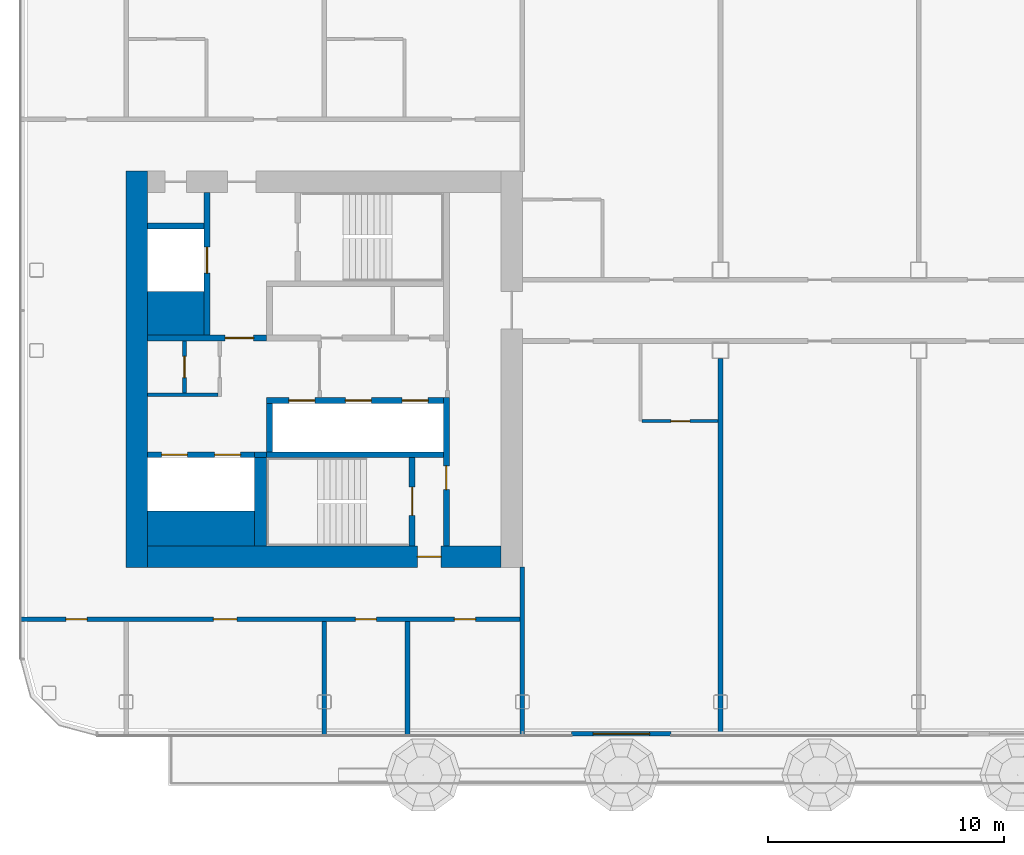
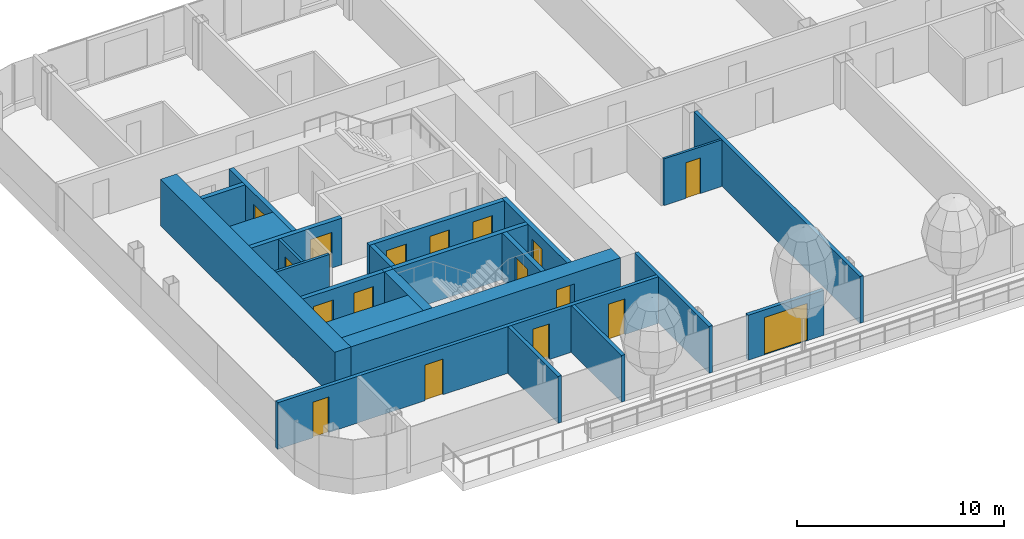
# One storey, part 11 of 28: 24 walls, 17 doors, 17 openings, 1 element without a shape of its own.
"""IFC4 building model written with IfcOpenShell, lengths in metres."""

import ifcopenshell
import ifcopenshell.guid

model = None  # the IFC model being written
_history = None  # IfcOwnerHistory: only IFC2X3 demands one
_inside = {}  # id of a spatial element -> (the spatial element, [elements in it])
_under = {}  # id of a project, library or spatial element -> (it, [spatial elements below it])
_declared = {}  # id of a project -> (the project, [libraries it declares])
_typed = {}  # id of a type object -> (the type object, [elements of that type])
_made_of = {}  # id of a material, layer set ... -> (it, [elements and type objects made of it])


def new_model(schema):
    """Start an empty IFC model of exactly this schema.

    Asked for "IFC4X3", IfcOpenShell would pick the latest addendum, in which some entities
    have other attributes; the version numbers below select the first issue.
    IFC2X3 requires an IfcOwnerHistory on every rooted entity: one is made here for all.
    """
    global model, _history
    if schema == "IFC4X3":
        model = ifcopenshell.file(schema_version=(4, 3, 0, 0))
    else:
        model = ifcopenshell.file(schema=schema)
    _inside.clear()
    _under.clear()
    _declared.clear()
    _typed.clear()
    _made_of.clear()
    _history = None
    if model.schema == "IFC2X3":
        org = make("IfcOrganization", Name="unknown")
        user = make(
            "IfcPersonAndOrganization",
            ThePerson=make("IfcPerson", FamilyName="unknown"),
            TheOrganization=org,
        )
        app = make(
            "IfcApplication",
            ApplicationDeveloper=org,
            Version="unknown",
            ApplicationFullName="unknown",
            ApplicationIdentifier="unknown",
        )
        _history = make(
            "IfcOwnerHistory",
            OwningUser=user,
            OwningApplication=app,
            ChangeAction="ADDED",
            CreationDate=0,
        )
    return model


def make(cls, **values):
    """One entity of the class cls with the attributes given. An attribute that is None is left unset."""
    return model.create_entity(
        cls, **{name: value for name, value in values.items() if value is not None}
    )


def rooted(cls, **values):
    """An entity with a GlobalId (a new one), such as an element, a storey or a relation."""
    return make(cls, GlobalId=ifcopenshell.guid.new(), OwnerHistory=_history, **values)


def si_unit(unit_type, name, prefix=None):
    """IfcSIUnit, for example si_unit("LENGTHUNIT", "METRE", prefix="MILLI")."""
    return make("IfcSIUnit", UnitType=unit_type, Prefix=prefix, Name=name)


def assignment(units):
    """IfcUnitAssignment: the units of a project."""
    return None if units is None else make("IfcUnitAssignment", Units=units)


def point(xyz):
    """IfcCartesianPoint."""
    return None if xyz is None else make("IfcCartesianPoint", Coordinates=xyz)


def direction(xyz):
    """IfcDirection."""
    return None if xyz is None else make("IfcDirection", DirectionRatios=xyz)


def frame(location, z_axis=None, x_axis=None):
    """IfcAxis2Placement3D, a coordinate frame: its origin and axes. An axis left out is left unset."""
    return make(
        "IfcAxis2Placement3D",
        Location=point(location),
        Axis=direction(z_axis),
        RefDirection=direction(x_axis),
    )


def frame_2d(location, x_axis=None):
    """IfcAxis2Placement2D, a coordinate frame in the plane: its origin and x axis."""
    return make(
        "IfcAxis2Placement2D", Location=point(location), RefDirection=direction(x_axis)
    )


def origin():
    """The frame at (0, 0, 0) with its axes left unset."""
    return frame((0.0, 0.0, 0.0))


def place(relative_to, where):
    """IfcLocalPlacement: puts the frame where relative to a parent placement (None: the world)."""
    return make(
        "IfcLocalPlacement", PlacementRelTo=relative_to, RelativePlacement=where
    )


def context(
    kind, dimensions, precision=None, world=None, true_north=None, identifier=None
):
    """IfcGeometricRepresentationContext, for example the 3D "Model" context."""
    return make(
        "IfcGeometricRepresentationContext",
        ContextIdentifier=identifier,
        ContextType=kind,
        CoordinateSpaceDimension=dimensions,
        Precision=precision,
        WorldCoordinateSystem=world,
        TrueNorth=true_north,
    )


def subcontext(parent, identifier, kind, view, scale=None):
    """IfcGeometricRepresentationSubContext, for example "Body" below "Model"."""
    return make(
        "IfcGeometricRepresentationSubContext",
        ContextIdentifier=identifier,
        ContextType=kind,
        ParentContext=parent,
        TargetScale=scale,
        TargetView=view,
    )


def project(units=None, contexts=None):
    """IfcProject with its units and contexts."""
    return rooted(
        "IfcProject",
        Name="project",
        RepresentationContexts=contexts,
        UnitsInContext=assignment(units),
    )


def spatial(cls, under=None, at=None, **own):
    """A site, building, storey or space (cls), placed at a placement, below another one or the project."""
    s = rooted(cls, ObjectPlacement=at, **own)
    if under is not None:
        _under.setdefault(under.id(), (under, []))[1].append(s)
    return s


def profile(cls, at=None, kind="AREA", **sizes):
    """A parametric profile (cls). Its sizes go by their IFC names, for example OverallWidth=200.0."""
    return make(cls, ProfileType=kind, Position=at, **sizes)


def rectangle(**sizes):
    """IfcRectangleProfileDef."""
    return profile("IfcRectangleProfileDef", **sizes)


def extrude(swept, where, along, depth):
    """IfcExtrudedAreaSolid: the profile swept, set in the frame where, extruded along a direction by depth."""
    return make(
        "IfcExtrudedAreaSolid",
        SweptArea=swept,
        Position=where,
        ExtrudedDirection=direction(along),
        Depth=depth,
    )


def shape(context_of_items, identifier, shape_type, items):
    """IfcShapeRepresentation: the items that make up one representation, for example the "Body"."""
    return make(
        "IfcShapeRepresentation",
        ContextOfItems=context_of_items,
        RepresentationIdentifier=identifier,
        RepresentationType=shape_type,
        Items=items,
    )


def material(Name=None, Category=None):
    """IfcMaterial."""
    return make("IfcMaterial", Name=Name, Category=Category)


def layer(
    of_material, thickness, ventilated=None, Name=None, Category=None, Priority=None
):
    """IfcMaterialLayer: one layer of a wall or slab, of a material (None: an air gap)."""
    return make(
        "IfcMaterialLayer",
        Material=of_material,
        LayerThickness=thickness,
        IsVentilated=ventilated,
        Name=Name,
        Category=Category,
        Priority=Priority,
    )


def layer_set(layers, Name=None):
    """IfcMaterialLayerSet."""
    return make("IfcMaterialLayerSet", MaterialLayers=layers, LayerSetName=Name)


def made_of(thing, what):
    """Note that an element or type object is made of a material, layer set ...; save() writes the relation."""
    if what is not None:
        _made_of.setdefault(what.id(), (what, []))[1].append(thing)
    return thing


def type_object(cls, material=None, **own):
    """A type object (cls), such as IfcWallType, which elements share."""
    return made_of(rooted(cls, **own), material)


def element(
    cls,
    number,
    at=None,
    inside=None,
    cuts=None,
    type_object=None,
    material=None,
    context=None,
    identifier="Body",
    shape_type=None,
    held_by="IfcProductDefinitionShape",
    body=None,
    shapes=None,
    **own,
):
    """One element of the class cls, such as IfcWall. Its Tag is "e" and its number.

    at: its placement. inside: the storey or other place that contains it. cuts: it is an
    opening in that element (IfcRelVoidsElement). A single representation is given by context,
    identifier, shape_type and body (its items); several are given by shapes. held_by: the class
    of the entity that holds the representations. save() writes the other relations.
    """
    e = rooted(cls, Tag="e%d" % number, ObjectPlacement=at, **own)
    if body is not None:
        shapes = [shape(context, identifier, shape_type, body)]
    if shapes is not None:
        e.Representation = make(held_by, Representations=shapes)
    if inside is not None:
        _inside.setdefault(inside.id(), (inside, []))[1].append(e)
    if cuts is not None:
        rooted(
            "IfcRelVoidsElement", RelatingBuildingElement=cuts, RelatedOpeningElement=e
        )
    if type_object is not None:
        _typed.setdefault(type_object.id(), (type_object, []))[1].append(e)
    return made_of(e, material)


def fill(opening, filler):
    """IfcRelFillsElement: the door or window that sits in an opening."""
    return rooted(
        "IfcRelFillsElement",
        RelatingOpeningElement=opening,
        RelatedBuildingElement=filler,
    )


def aggregate(whole, parts):
    """IfcRelAggregates: a whole, such as a stair, and the parts it consists of."""
    return rooted("IfcRelAggregates", RelatingObject=whole, RelatedObjects=parts)


def save(model, path):
    """Write the relations noted so far, then the file.

    IfcRelAggregates (storeys below a building ...), IfcRelContainedInSpatialStructure (elements
    in a storey), IfcRelDefinesByType, IfcRelAssociatesMaterial and IfcRelDeclares: one each for
    every whole, place, type object, material and project.
    """
    for whole, parts in _under.values():
        aggregate(whole, parts)
    for where, things in _inside.values():
        rooted(
            "IfcRelContainedInSpatialStructure",
            RelatedElements=things,
            RelatingStructure=where,
        )
    for kind, things in _typed.values():
        rooted("IfcRelDefinesByType", RelatedObjects=things, RelatingType=kind)
    for what, things in _made_of.values():
        rooted("IfcRelAssociatesMaterial", RelatedObjects=things, RelatingMaterial=what)
    for by, libraries in _declared.values():
        rooted("IfcRelDeclares", RelatingContext=by, RelatedDefinitions=libraries)
    model.write(path)


model = new_model("IFC4")

# Units and contexts
model_context = context("Model", 3, precision=1e-05, world=origin(), true_north=direction((0.0, 1.0)))
body_context = subcontext(model_context, "Body", "Model", "MODEL_VIEW")
ifc_project = project(units=[si_unit("LENGTHUNIT", "METRE"), si_unit("AREAUNIT", "SQUARE_METRE"), si_unit("VOLUMEUNIT", "CUBIC_METRE"), si_unit("PLANEANGLEUNIT", "RADIAN"), si_unit("MASSUNIT", "GRAM", prefix="KILO")], contexts=[model_context])

# Site, building, storey
site_placement = place(None, origin())
site = spatial("IfcSite", under=ifc_project, at=site_placement, CompositionType="ELEMENT")
building_placement = place(site_placement, origin())
building = spatial("IfcBuilding", under=site, at=building_placement, Name="Hakoniwa Tower and Hamabe Station Hall", CompositionType="ELEMENT")
storey_placement = place(building_placement, frame((0.0, 0.0, 218.60009765625)))
storey = spatial("IfcBuildingStorey", under=building, at=storey_placement, Name="L62", CompositionType="ELEMENT", Elevation=218.60009765625)

# Wall, opening, door
ifc_material_1 = material(Name="Gypsum board partition", Category="gypsum")
ifc_layer_1 = layer(ifc_material_1, 0.125)
ifc_layer_set_1 = layer_set([ifc_layer_1], Name="Bathroom Partition 125")
wall_type_1 = type_object("IfcWallType", Name="Bathroom Partition 125", PredefinedType="PARTITIONING", material=ifc_layer_set_1)
wall_1_placement = place(storey_placement, frame((-11.737548828125, -2.199951171875, 0.0), z_axis=(0.0, 0.0, 1.0), x_axis=(1.0, 0.0, 0.0)))
wall_1 = element("IfcWall", 1, at=wall_1_placement, inside=storey, type_object=wall_type_1, Name="GW-L62-003", PredefinedType="PARTITIONING", context=body_context, shape_type="SweptSolid", body=[
    extrude(rectangle(XDim=3.237548828125, YDim=0.125, at=frame_2d((1.61865234375, 0.0))), origin(), (0.0, 0.0, 1.0), 2.75),
])
opening_1_placement = place(wall_1_placement, frame((1.237548828125, 0.0, 0.0)))
opening_1 = element("IfcOpeningElement", 2, at=opening_1_placement, cuts=wall_1, Name="Opening GD-G4A2-09", PredefinedType="OPENING", context=body_context, shape_type="SweptSolid", body=[
    extrude(rectangle(XDim=0.800048828125, YDim=2.10009765625, at=frame_2d((0.39990234375, 1.050048828125))), frame((0.0, 0.072509765625, 0.0), z_axis=(0.0, -1.0, 0.0), x_axis=(1.0, 0.0, 0.0)), (0.0, 0.0, 1.0), 0.14501953125),
])
ifc_material_2 = material(Name="Timber door leaf", Category="wood")
door_type_1 = type_object("IfcDoorType", Name="Bathroom Door 800", OperationType="SINGLE_SWING_LEFT", PredefinedType="DOOR", material=ifc_material_2)
door_1_placement = place(opening_1_placement, origin())
door_1 = element("IfcDoor", 3, at=door_1_placement, inside=storey, type_object=door_type_1, Name="Door GD-G4A2-09", OperationType="SINGLE_SWING_RIGHT", OverallHeight=2.10009765625, OverallWidth=0.800048828125, PredefinedType="DOOR", context=body_context, shape_type="SweptSolid", body=[
    extrude(rectangle(XDim=0.800048828125, YDim=2.10009765625, at=frame_2d((0.39990234375, 1.050048828125))), frame((0.0, 0.02490234375, 0.0), z_axis=(0.0, -1.0, 0.0), x_axis=(1.0, 0.0, 0.0)), (0.0, 0.0, 1.0), 0.050048828125),
])
fill(opening_1, door_1)

# Wall
ifc_material_3 = material(Name="Gypsum board partition")
ifc_layer_2 = layer(ifc_material_3, 0.14990234375)
ifc_layer_set_2 = layer_set([ifc_layer_2], Name="CORE PARTITION 150 EI 60")
wall_type_2 = type_object("IfcWallType", Name="CORE PARTITION 150 EI 60", PredefinedType="PARTITIONING", material=ifc_layer_set_2)
wall_2_placement = place(storey_placement, frame((-32.699951171875, -1.074951171875, 0.0), z_axis=(0.0, 0.0, 1.0), x_axis=(1.0, 0.0, 0.0)))
element("IfcWall", 4, at=wall_2_placement, inside=storey, type_object=wall_type_2, Name="Core partition PS west", PredefinedType="PARTITIONING", context=body_context, shape_type="SweptSolid", body=[
    extrude(rectangle(XDim=3.0, YDim=0.14990234375, at=frame_2d((1.5, 0.0))), origin(), (0.0, 0.0, 1.0), 2.75),
])

# Wall, opening, door
wall_3_placement = place(storey_placement, frame((-31.125, -1.0, 0.0), z_axis=(0.0, 0.0, 1.0), x_axis=(0.0, 1.0, 0.0)))
wall_3 = element("IfcWall", 5, at=wall_3_placement, inside=storey, type_object=wall_type_2, Name="Core partition PW1 west", PredefinedType="PARTITIONING", context=body_context, shape_type="SweptSolid", body=[
    extrude(rectangle(XDim=2.199951171875, YDim=0.14990234375, at=frame_2d((1.10009765625, 0.0))), origin(), (0.0, 0.0, 1.0), 2.75),
])
opening_2_placement = place(wall_3_placement, frame((0.64990234375, 0.0, 0.0)))
opening_2 = element("IfcOpeningElement", 6, at=opening_2_placement, cuts=wall_3, Name="Opening CD-W-RM2-9", PredefinedType="OPENING", context=body_context, shape_type="SweptSolid", body=[
    extrude(rectangle(XDim=0.89990234375, YDim=2.10009765625, at=frame_2d((0.449951171875, 1.050048828125))), frame((0.0, 0.0849609375, 0.0), z_axis=(0.0, -1.0, 0.0), x_axis=(1.0, 0.0, 0.0)), (0.0, 0.0, 1.0), 0.169921875),
])
ifc_material_4 = material(Name="Steel fire door", Category="steel")
door_type_2 = type_object("IfcDoorType", Name="CORE DOOR 900 FD30", OperationType="NOTDEFINED", PredefinedType="DOOR", material=ifc_material_4)
door_2_placement = place(opening_2_placement, origin())
door_2 = element("IfcDoor", 7, at=door_2_placement, inside=storey, type_object=door_type_2, Name="Store room door", OperationType="SINGLE_SWING_RIGHT", OverallHeight=2.10009765625, OverallWidth=0.89990234375, PredefinedType="DOOR", context=body_context, shape_type="SweptSolid", body=[
    extrude(rectangle(XDim=0.89990234375, YDim=2.10009765625, at=frame_2d((0.449951171875, 1.050048828125))), frame((0.0, 0.02490234375, 0.0), z_axis=(0.0, -1.0, 0.0), x_axis=(1.0, 0.0, 0.0)), (0.0, 0.0, 1.0), 0.050048828125),
])
fill(opening_2, door_2)

# Wall
ifc_material_5 = material(Name="Concrete C60", Category="concrete")
ifc_layer_3 = layer(ifc_material_5, 0.89990234375)
ifc_layer_set_3 = layer_set([ifc_layer_3], Name="CORE WALL 900 C60")
wall_type_3 = type_object("IfcWallType", Name="CORE WALL 900 C60", PredefinedType="SHEAR", material=ifc_layer_set_3)
wall_4_placement = place(storey_placement, frame((-33.14990234375, -8.39990234375, 0.0), z_axis=(0.0, 0.0, 1.0), x_axis=(0.0, 1.0, 0.0)))
element("IfcWall", 8, at=wall_4_placement, inside=storey, type_object=wall_type_3, Name="Core wall OUTER west", PredefinedType="SHEAR", context=body_context, shape_type="SweptSolid", body=[
    extrude(rectangle(XDim=16.7998046875, YDim=0.89990234375, at=frame_2d((8.39990234375, 0.0))), origin(), (0.0, 0.0, 1.0), 2.75),
])

# Wall, opening, door
wall_5_placement = place(storey_placement, frame((-32.699951171875, -7.949951171875, 0.0), z_axis=(0.0, 0.0, 1.0), x_axis=(1.0, 0.0, 0.0)))
wall_5 = element("IfcWall", 9, at=wall_5_placement, inside=storey, type_object=wall_type_3, Name="Core wall SOUTH west", PredefinedType="SHEAR", context=body_context, shape_type="SweptSolid", body=[
    extrude(rectangle(XDim=15.0, YDim=0.89990234375, at=frame_2d((7.5, 0.0))), origin(), (0.0, 0.0, 1.0), 2.75),
])
opening_3_placement = place(wall_5_placement, frame((11.449951171875, 0.0, 0.0)))
opening_3 = element("IfcOpeningElement", 10, at=opening_3_placement, cuts=wall_5, Name="Opening CD-W-FS3-10", PredefinedType="OPENING", context=body_context, shape_type="SweptSolid", body=[
    extrude(rectangle(XDim=1.0, YDim=2.10009765625, at=frame_2d((0.5, 1.050048828125))), frame((0.0, 0.4599609375, 0.0), z_axis=(0.0, -1.0, 0.0), x_axis=(1.0, 0.0, 0.0)), (0.0, 0.0, 1.0), 0.919921875),
])
ifc_material_6 = material(Name="Steel fire door", Category="steel")
door_type_3 = type_object("IfcDoorType", Name="CORE DOOR 1000 FD60", OperationType="NOTDEFINED", PredefinedType="DOOR", material=ifc_material_6)
door_3_placement = place(opening_3_placement, origin())
door_3 = element("IfcDoor", 11, at=door_3_placement, inside=storey, type_object=door_type_3, Name="Stair vestibule door", OperationType="SINGLE_SWING_RIGHT", OverallHeight=2.10009765625, OverallWidth=1.0, PredefinedType="DOOR", context=body_context, shape_type="SweptSolid", body=[
    extrude(rectangle(XDim=1.0, YDim=2.10009765625, at=frame_2d((0.5, 1.050048828125))), frame((0.0, 0.02490234375, 0.0), z_axis=(0.0, -1.0, 0.0), x_axis=(1.0, 0.0, 0.0)), (0.0, 0.0, 1.0), 0.050048828125),
])
fill(opening_3, door_3)

# Walls
ifc_material_7 = material(Name="Concrete C60", Category="concrete")
ifc_layer_4 = layer(ifc_material_7, 1.5)
ifc_layer_set_4 = layer_set([ifc_layer_4], Name="CORE WEB WALL 1500 C60")
wall_type_4 = type_object("IfcWallType", Name="CORE WEB WALL 1500 C60", PredefinedType="SHEAR", material=ifc_layer_set_4)
wall_6_placement = place(storey_placement, frame((-32.699951171875, -6.75, 0.0), z_axis=(0.0, 0.0, 1.0), x_axis=(1.0, 0.0, 0.0)))
element("IfcWall", 12, at=wall_6_placement, inside=storey, type_object=wall_type_4, Name="Core wall SER west", PredefinedType="SHEAR", context=body_context, shape_type="SweptSolid", body=[
    extrude(rectangle(XDim=4.550048828125, YDim=1.5, at=frame_2d((2.27490234375, 0.0))), origin(), (0.0, 0.0, 1.0), 2.75),
])
ifc_material_8 = material(Name="Concrete C60", Category="concrete")
ifc_layer_5 = layer(ifc_material_8, 1.85009765625)
ifc_layer_set_5 = layer_set([ifc_layer_5], Name="CORE WEB WALL 1850 C60")
wall_type_5 = type_object("IfcWallType", Name="CORE WEB WALL 1850 C60", PredefinedType="SHEAR", material=ifc_layer_set_5)
wall_7_placement = place(storey_placement, frame((-32.699951171875, 2.375, 0.0), z_axis=(0.0, 0.0, 1.0), x_axis=(1.0, 0.0, 0.0)))
element("IfcWall", 13, at=wall_7_placement, inside=storey, type_object=wall_type_5, Name="Core wall CA west", PredefinedType="SHEAR", context=body_context, shape_type="SweptSolid", body=[
    extrude(rectangle(XDim=2.39990234375, YDim=1.85009765625, at=frame_2d((1.199951171875, 0.0))), origin(), (0.0, 0.0, 1.0), 2.75),
])

# Wall, opening, door
ifc_material_9 = material(Name="Concrete C60", Category="concrete")
ifc_layer_6 = layer(ifc_material_9, 0.25)
ifc_layer_set_6 = layer_set([ifc_layer_6], Name="CORE WEB WALL 250 C60")
wall_type_6 = type_object("IfcWallType", Name="CORE WEB WALL 250 C60", PredefinedType="SHEAR", material=ifc_layer_set_6)
wall_8_placement = place(storey_placement, frame((-20.02490234375, -7.5, 0.0), z_axis=(0.0, 0.0, 1.0), x_axis=(0.0, 1.0, 0.0)))
wall_8 = element("IfcWall", 14, at=wall_8_placement, inside=storey, type_object=wall_type_6, Name="Core wall W1S west", PredefinedType="SHEAR", context=body_context, shape_type="SweptSolid", body=[
    extrude(rectangle(XDim=6.300048828125, YDim=0.25, at=frame_2d((3.14990234375, 0.0))), origin(), (0.0, 0.0, 1.0), 2.75),
])
opening_4_placement = place(wall_8_placement, frame((2.39990234375, 0.0, 0.0)))
opening_4 = element("IfcOpeningElement", 15, at=opening_4_placement, cuts=wall_8, Name="Opening CD-W-VS-10", PredefinedType="OPENING", context=body_context, shape_type="SweptSolid", body=[
    extrude(rectangle(XDim=1.0, YDim=2.10009765625, at=frame_2d((0.5, 1.050048828125))), frame((0.0, 0.135009765625, 0.0), z_axis=(0.0, -1.0, 0.0), x_axis=(1.0, 0.0, 0.0)), (0.0, 0.0, 1.0), 0.27001953125),
])
door_4_placement = place(opening_4_placement, origin())
door_4 = element("IfcDoor", 16, at=door_4_placement, inside=storey, type_object=door_type_3, Name="Stair vestibule door", OperationType="SINGLE_SWING_LEFT", OverallHeight=2.10009765625, OverallWidth=1.0, PredefinedType="DOOR", context=body_context, shape_type="SweptSolid", body=[
    extrude(rectangle(XDim=1.0, YDim=2.10009765625, at=frame_2d((0.5, 1.050048828125))), frame((0.0, 0.02490234375, 0.0), z_axis=(0.0, -1.0, 0.0), x_axis=(1.0, 0.0, 0.0)), (0.0, 0.0, 1.0), 0.050048828125),
])
fill(opening_4, door_4)

wall_9_placement = place(storey_placement, frame((-32.699951171875, 1.324951171875, 0.0), z_axis=(0.0, 0.0, 1.0), x_axis=(1.0, 0.0, 0.0)))
wall_9 = element("IfcWall", 17, at=wall_9_placement, inside=storey, type_object=wall_type_6, Name="Core wall ELN west", PredefinedType="SHEAR", context=body_context, shape_type="SweptSolid", body=[
    extrude(rectangle(XDim=5.050048828125, YDim=0.25, at=frame_2d((2.52490234375, 0.0))), origin(), (0.0, 0.0, 1.0), 2.75),
])
opening_5_placement = place(wall_9_placement, frame((3.300048828125, 0.0, 0.0)))
opening_5 = element("IfcOpeningElement", 18, at=opening_5_placement, cuts=wall_9, Name="Opening CD-W-FL-12", PredefinedType="OPENING", context=body_context, shape_type="SweptSolid", body=[
    extrude(rectangle(XDim=1.199951171875, YDim=2.10009765625, at=frame_2d((0.60009765625, 1.050048828125))), frame((0.0, 0.135009765625, 0.0), z_axis=(0.0, -1.0, 0.0), x_axis=(1.0, 0.0, 0.0)), (0.0, 0.0, 1.0), 0.27001953125),
])
ifc_material_10 = material(Name="Steel fire door", Category="steel")
door_type_4 = type_object("IfcDoorType", Name="CORE DOOR 1200 FD60", OperationType="DOUBLE_DOOR_SINGLE_SWING", PredefinedType="DOOR", material=ifc_material_10)
door_5_placement = place(opening_5_placement, origin())
door_5 = element("IfcDoor", 19, at=door_5_placement, inside=storey, type_object=door_type_4, Name="Stair vestibule door to the fire-fighting lobby", OperationType="DOUBLE_DOOR_SINGLE_SWING", OverallHeight=2.10009765625, OverallWidth=1.199951171875, PredefinedType="DOOR", context=body_context, shape_type="SweptSolid", body=[
    extrude(rectangle(XDim=1.199951171875, YDim=2.10009765625, at=frame_2d((0.60009765625, 1.050048828125))), frame((0.0, 0.02490234375, 0.0), z_axis=(0.0, -1.0, 0.0), x_axis=(1.0, 0.0, 0.0)), (0.0, 0.0, 1.0), 0.050048828125),
])
fill(opening_5, door_5)

wall_10_placement = place(storey_placement, frame((-30.175048828125, 1.449951171875, 0.0), z_axis=(0.0, 0.0, 1.0), x_axis=(0.0, 1.0, 0.0)))
wall_10 = element("IfcWall", 20, at=wall_10_placement, inside=storey, type_object=wall_type_6, Name="Core wall FFF west", PredefinedType="SHEAR", context=body_context, shape_type="SweptSolid", body=[
    extrude(rectangle(XDim=6.050048828125, YDim=0.25, at=frame_2d((3.02490234375, 0.0))), origin(), (0.0, 0.0, 1.0), 2.75),
])
opening_6_placement = place(wall_10_placement, frame((2.625, 0.0, 0.0)))
opening_6 = element("IfcOpeningElement", 21, at=opening_6_placement, cuts=wall_10, Name="Opening LD-FF1", PredefinedType="OPENING", context=body_context, shape_type="SweptSolid", body=[
    extrude(rectangle(XDim=1.10009765625, YDim=2.10009765625, at=frame_2d((0.550048828125, 1.050048828125))), frame((0.0, 0.135009765625, 0.0), z_axis=(0.0, -1.0, 0.0), x_axis=(1.0, 0.0, 0.0)), (0.0, 0.0, 1.0), 0.27001953125),
])
ifc_material_11 = material(Name="Stainless steel SUS304", Category="steel")
door_type_5 = type_object("IfcDoorType", Name="LIFT LANDING DOOR 1100 FD60", OperationType="DOUBLE_DOOR_SLIDING", PredefinedType="DOOR", material=ifc_material_11)
door_6_placement = place(opening_6_placement, origin())
door_6 = element("IfcDoor", 22, at=door_6_placement, inside=storey, type_object=door_type_5, Name="Lift landing door FF1 L62", OperationType="DOUBLE_DOOR_SLIDING", OverallHeight=2.10009765625, OverallWidth=1.10009765625, PredefinedType="DOOR", context=body_context, shape_type="SweptSolid", body=[
    extrude(rectangle(XDim=1.10009765625, YDim=2.10009765625, at=frame_2d((0.550048828125, 1.050048828125))), frame((0.0, 0.02490234375, 0.0), z_axis=(0.0, -1.0, 0.0), x_axis=(1.0, 0.0, 0.0)), (0.0, 0.0, 1.0), 0.050048828125),
])
fill(opening_6, door_6)

# Wall
wall_11_placement = place(storey_placement, frame((-32.699951171875, 6.074951171875, 0.0), z_axis=(0.0, 0.0, 1.0), x_axis=(1.0, 0.0, 0.0)))
element("IfcWall", 23, at=wall_11_placement, inside=storey, type_object=wall_type_6, Name="Core wall C2 west", PredefinedType="SHEAR", context=body_context, shape_type="SweptSolid", body=[
    extrude(rectangle(XDim=2.39990234375, YDim=0.25, at=frame_2d((1.199951171875, 0.0))), origin(), (0.0, 0.0, 1.0), 2.75),
])

# Wall, openings, doors
wall_12_placement = place(storey_placement, frame((-27.64990234375, -1.324951171875, 0.0), z_axis=(0.0, 0.0, 1.0), x_axis=(1.0, 0.0, 0.0)))
wall_12 = element("IfcWall", 24, at=wall_12_placement, inside=storey, type_object=wall_type_6, Name="Core wall SF west", PredefinedType="SHEAR", context=body_context, shape_type="SweptSolid", body=[
    extrude(rectangle(XDim=7.5, YDim=0.25, at=frame_2d((3.75, 0.0))), origin(), (0.0, 0.0, 1.0), 2.75),
])
opening_7_placement = place(wall_12_placement, frame((5.75, 0.0, 0.0)))
opening_7 = element("IfcOpeningElement", 25, at=opening_7_placement, cuts=wall_12, Name="Opening LD-HR1", PredefinedType="OPENING", context=body_context, shape_type="SweptSolid", body=[
    extrude(rectangle(XDim=1.10009765625, YDim=2.10009765625, at=frame_2d((0.550048828125, 1.050048828125))), frame((0.0, 0.135009765625, 0.0), z_axis=(0.0, -1.0, 0.0), x_axis=(1.0, 0.0, 0.0)), (0.0, 0.0, 1.0), 0.27001953125),
])
opening_8_placement = place(wall_12_placement, frame((3.35009765625, 0.0, 0.0)))
opening_8 = element("IfcOpeningElement", 26, at=opening_8_placement, cuts=wall_12, Name="Opening LD-HR2", PredefinedType="OPENING", context=body_context, shape_type="SweptSolid", body=[
    extrude(rectangle(XDim=1.10009765625, YDim=2.10009765625, at=frame_2d((0.550048828125, 1.050048828125))), frame((0.0, 0.135009765625, 0.0), z_axis=(0.0, -1.0, 0.0), x_axis=(1.0, 0.0, 0.0)), (0.0, 0.0, 1.0), 0.27001953125),
])
opening_9_placement = place(wall_12_placement, frame((0.949951171875, 0.0, 0.0)))
opening_9 = element("IfcOpeningElement", 27, at=opening_9_placement, cuts=wall_12, Name="Opening LD-HR3", PredefinedType="OPENING", context=body_context, shape_type="SweptSolid", body=[
    extrude(rectangle(XDim=1.10009765625, YDim=2.10009765625, at=frame_2d((0.550048828125, 1.050048828125))), frame((0.0, 0.135009765625, 0.0), z_axis=(0.0, -1.0, 0.0), x_axis=(1.0, 0.0, 0.0)), (0.0, 0.0, 1.0), 0.27001953125),
])
door_7_placement = place(opening_7_placement, origin())
door_7 = element("IfcDoor", 28, at=door_7_placement, inside=storey, type_object=door_type_5, Name="Lift landing door HR1 L62", OperationType="DOUBLE_DOOR_SLIDING", OverallHeight=2.10009765625, OverallWidth=1.10009765625, PredefinedType="DOOR", context=body_context, shape_type="SweptSolid", body=[
    extrude(rectangle(XDim=1.10009765625, YDim=2.10009765625, at=frame_2d((0.550048828125, 1.050048828125))), frame((0.0, 0.02490234375, 0.0), z_axis=(0.0, -1.0, 0.0), x_axis=(1.0, 0.0, 0.0)), (0.0, 0.0, 1.0), 0.050048828125),
])
fill(opening_7, door_7)
door_8_placement = place(opening_8_placement, origin())
door_8 = element("IfcDoor", 29, at=door_8_placement, inside=storey, type_object=door_type_5, Name="Lift landing door HR2 L62", OperationType="DOUBLE_DOOR_SLIDING", OverallHeight=2.10009765625, OverallWidth=1.10009765625, PredefinedType="DOOR", context=body_context, shape_type="SweptSolid", body=[
    extrude(rectangle(XDim=1.10009765625, YDim=2.10009765625, at=frame_2d((0.550048828125, 1.050048828125))), frame((0.0, 0.02490234375, 0.0), z_axis=(0.0, -1.0, 0.0), x_axis=(1.0, 0.0, 0.0)), (0.0, 0.0, 1.0), 0.050048828125),
])
fill(opening_8, door_8)
door_9_placement = place(opening_9_placement, origin())
door_9 = element("IfcDoor", 30, at=door_9_placement, inside=storey, type_object=door_type_5, Name="Lift landing door HR3 L62", OperationType="DOUBLE_DOOR_SLIDING", OverallHeight=2.10009765625, OverallWidth=1.10009765625, PredefinedType="DOOR", context=body_context, shape_type="SweptSolid", body=[
    extrude(rectangle(XDim=1.10009765625, YDim=2.10009765625, at=frame_2d((0.550048828125, 1.050048828125))), frame((0.0, 0.02490234375, 0.0), z_axis=(0.0, -1.0, 0.0), x_axis=(1.0, 0.0, 0.0)), (0.0, 0.0, 1.0), 0.050048828125),
])
fill(opening_9, door_9)

# Walls
wall_13_placement = place(storey_placement, frame((-27.52490234375, -3.5, 0.0), z_axis=(0.0, 0.0, 1.0), x_axis=(0.0, 1.0, 0.0)))
element("IfcWall", 31, at=wall_13_placement, inside=storey, type_object=wall_type_6, Name="Core wall SE west", PredefinedType="SHEAR", context=body_context, shape_type="SweptSolid", body=[
    extrude(rectangle(XDim=2.050048828125, YDim=0.25, at=frame_2d((1.02490234375, 0.0))), origin(), (0.0, 0.0, 1.0), 2.75),
])
wall_14_placement = place(storey_placement, frame((-27.64990234375, -3.625, 0.0), z_axis=(0.0, 0.0, 1.0), x_axis=(1.0, 0.0, 0.0)))
element("IfcWall", 32, at=wall_14_placement, inside=storey, type_object=wall_type_6, Name="Core wall SR west", PredefinedType="SHEAR", context=body_context, shape_type="SweptSolid", body=[
    extrude(rectangle(XDim=7.5, YDim=0.25, at=frame_2d((3.75, 0.0))), origin(), (0.0, 0.0, 1.0), 2.75),
])

# Wall, opening, door
wall_15_placement = place(storey_placement, frame((-21.47509765625, -7.5, 0.0), z_axis=(0.0, 0.0, 1.0), x_axis=(0.0, 1.0, 0.0)))
wall_15 = element("IfcWall", 33, at=wall_15_placement, inside=storey, type_object=wall_type_6, Name="Core wall VE west", PredefinedType="SHEAR", context=body_context, shape_type="SweptSolid", body=[
    extrude(rectangle(XDim=3.75, YDim=0.25, at=frame_2d((1.875, 0.0))), origin(), (0.0, 0.0, 1.0), 2.75),
])
opening_10_placement = place(wall_15_placement, frame((1.300048828125, 0.0, 0.0)))
opening_10 = element("IfcOpeningElement", 34, at=opening_10_placement, cuts=wall_15, Name="Opening CD-W-SS-12", PredefinedType="OPENING", context=body_context, shape_type="SweptSolid", body=[
    extrude(rectangle(XDim=1.199951171875, YDim=2.10009765625, at=frame_2d((0.60009765625, 1.050048828125))), frame((0.0, 0.135009765625, 0.0), z_axis=(0.0, -1.0, 0.0), x_axis=(1.0, 0.0, 0.0)), (0.0, 0.0, 1.0), 0.27001953125),
])
door_10_placement = place(opening_10_placement, origin())
door_10 = element("IfcDoor", 35, at=door_10_placement, inside=storey, type_object=door_type_4, Name="Escape stair door", OperationType="DOUBLE_DOOR_SINGLE_SWING", OverallHeight=2.10009765625, OverallWidth=1.199951171875, PredefinedType="DOOR", context=body_context, shape_type="SweptSolid", body=[
    extrude(rectangle(XDim=1.199951171875, YDim=2.10009765625, at=frame_2d((0.60009765625, 1.050048828125))), frame((0.0, 0.02490234375, 0.0), z_axis=(0.0, -1.0, 0.0), x_axis=(1.0, 0.0, 0.0)), (0.0, 0.0, 1.0), 0.050048828125),
])
fill(opening_10, door_10)

# Wall, openings, doors
wall_16_placement = place(storey_placement, frame((-32.699951171875, -3.625, 0.0), z_axis=(0.0, 0.0, 1.0), x_axis=(1.0, 0.0, 0.0)))
wall_16 = element("IfcWall", 36, at=wall_16_placement, inside=storey, type_object=wall_type_6, Name="Core wall SEF west", PredefinedType="SHEAR", context=body_context, shape_type="SweptSolid", body=[
    extrude(rectangle(XDim=4.550048828125, YDim=0.25, at=frame_2d((2.27490234375, 0.0))), origin(), (0.0, 0.0, 1.0), 2.75),
])
opening_11_placement = place(wall_16_placement, frame((2.85009765625, 0.0, 0.0)))
opening_11 = element("IfcOpeningElement", 37, at=opening_11_placement, cuts=wall_16, Name="Opening LD-SV1", PredefinedType="OPENING", context=body_context, shape_type="SweptSolid", body=[
    extrude(rectangle(XDim=1.10009765625, YDim=2.10009765625, at=frame_2d((0.550048828125, 1.050048828125))), frame((0.0, 0.135009765625, 0.0), z_axis=(0.0, -1.0, 0.0), x_axis=(1.0, 0.0, 0.0)), (0.0, 0.0, 1.0), 0.27001953125),
])
opening_12_placement = place(wall_16_placement, frame((0.60009765625, 0.0, 0.0)))
opening_12 = element("IfcOpeningElement", 38, at=opening_12_placement, cuts=wall_16, Name="Opening LD-SV2", PredefinedType="OPENING", context=body_context, shape_type="SweptSolid", body=[
    extrude(rectangle(XDim=1.10009765625, YDim=2.10009765625, at=frame_2d((0.550048828125, 1.050048828125))), frame((0.0, 0.135009765625, 0.0), z_axis=(0.0, -1.0, 0.0), x_axis=(1.0, 0.0, 0.0)), (0.0, 0.0, 1.0), 0.27001953125),
])
door_11_placement = place(opening_11_placement, origin())
door_11 = element("IfcDoor", 39, at=door_11_placement, inside=storey, type_object=door_type_5, Name="Lift landing door SV1 L62", OperationType="DOUBLE_DOOR_SLIDING", OverallHeight=2.10009765625, OverallWidth=1.10009765625, PredefinedType="DOOR", context=body_context, shape_type="SweptSolid", body=[
    extrude(rectangle(XDim=1.10009765625, YDim=2.10009765625, at=frame_2d((0.550048828125, 1.050048828125))), frame((0.0, 0.02490234375, 0.0), z_axis=(0.0, -1.0, 0.0), x_axis=(1.0, 0.0, 0.0)), (0.0, 0.0, 1.0), 0.050048828125),
])
fill(opening_11, door_11)
door_12_placement = place(opening_12_placement, origin())
door_12 = element("IfcDoor", 40, at=door_12_placement, inside=storey, type_object=door_type_5, Name="Lift landing door SV2 L62", OperationType="DOUBLE_DOOR_SLIDING", OverallHeight=2.10009765625, OverallWidth=1.10009765625, PredefinedType="DOOR", context=body_context, shape_type="SweptSolid", body=[
    extrude(rectangle(XDim=1.10009765625, YDim=2.10009765625, at=frame_2d((0.550048828125, 1.050048828125))), frame((0.0, 0.02490234375, 0.0), z_axis=(0.0, -1.0, 0.0), x_axis=(1.0, 0.0, 0.0)), (0.0, 0.0, 1.0), 0.050048828125),
])
fill(opening_12, door_12)

# Walls
wall_17_placement = place(storey_placement, frame((-28.14990234375, -3.625, 0.0), z_axis=(0.0, 0.0, 1.0), x_axis=(1.0, 0.0, 0.0)))
element("IfcWall", 41, at=wall_17_placement, inside=storey, type_object=wall_type_6, Name="Core wall SRK west", PredefinedType="SHEAR", context=body_context, shape_type="SweptSolid", body=[
    extrude(rectangle(XDim=0.5, YDim=0.25, at=frame_2d((0.25, 0.0))), origin(), (0.0, 0.0, 1.0), 2.75),
])
ifc_material_12 = material(Name="Concrete C60", Category="concrete")
ifc_layer_7 = layer(ifc_material_12, 0.5)
ifc_layer_set_7 = layer_set([ifc_layer_7], Name="CORE WEB WALL 500 C60")
wall_type_7 = type_object("IfcWallType", Name="CORE WEB WALL 500 C60", PredefinedType="SHEAR", material=ifc_layer_set_7)
wall_18_placement = place(storey_placement, frame((-27.89990234375, -7.5, 0.0), z_axis=(0.0, 0.0, 1.0), x_axis=(0.0, 1.0, 0.0)))
element("IfcWall", 42, at=wall_18_placement, inside=storey, type_object=wall_type_7, Name="Core wall SSE west", PredefinedType="SHEAR", context=body_context, shape_type="SweptSolid", body=[
    extrude(rectangle(XDim=3.75, YDim=0.5, at=frame_2d((1.875, 0.0))), origin(), (0.0, 0.0, 1.0), 2.75),
])

# Wall, openings, doors
ifc_material_13 = material(Name="Fire-rated gypsum board partition", Category="gypsum")
ifc_layer_8 = layer(ifc_material_13, 0.199951171875)
ifc_layer_set_8 = layer_set([ifc_layer_8], Name="Corridor Wall 200")
wall_type_8 = type_object("IfcWallType", Name="Corridor Wall 200", PredefinedType="PARTITIONING", material=ifc_layer_set_8)
wall_19_placement = place(storey_placement, frame((-38.10009765625, -10.60009765625, 0.0), z_axis=(0.0, 0.0, 1.0), x_axis=(1.0, 0.0, 0.0)))
wall_19 = element("IfcWall", 43, at=wall_19_placement, inside=storey, type_object=wall_type_8, Name="GW-L62-001", PredefinedType="PARTITIONING", context=body_context, shape_type="SweptSolid", body=[
    extrude(rectangle(XDim=21.300048828125, YDim=0.199951171875, at=frame_2d((10.64990234375, 0.0))), origin(), (0.0, 0.0, 1.0), 2.75),
])
opening_13_placement = place(wall_19_placement, frame((1.949951171875, 0.0, 0.0)))
opening_13 = element("IfcOpeningElement", 44, at=opening_13_placement, cuts=wall_19, Name="Opening GD-G4A2-01", PredefinedType="OPENING", context=body_context, shape_type="SweptSolid", body=[
    extrude(rectangle(XDim=0.89990234375, YDim=2.10009765625, at=frame_2d((0.449951171875, 1.050048828125))), frame((0.0, 0.10986328125, 0.0), z_axis=(0.0, -1.0, 0.0), x_axis=(1.0, 0.0, 0.0)), (0.0, 0.0, 1.0), 0.219970703125),
])
opening_14_placement = place(wall_19_placement, frame((8.199951171875, 0.0, 0.0)))
opening_14 = element("IfcOpeningElement", 45, at=opening_14_placement, cuts=wall_19, Name="Opening GD-G4A2-02", PredefinedType="OPENING", context=body_context, shape_type="SweptSolid", body=[
    extrude(rectangle(XDim=1.0, YDim=2.10009765625, at=frame_2d((0.5, 1.050048828125))), frame((0.0, 0.10986328125, 0.0), z_axis=(0.0, -1.0, 0.0), x_axis=(1.0, 0.0, 0.0)), (0.0, 0.0, 1.0), 0.219970703125),
])
opening_15_placement = place(wall_19_placement, frame((14.215087890625, 0.0, 0.0)))
opening_15 = element("IfcOpeningElement", 46, at=opening_15_placement, cuts=wall_19, Name="Opening GD-G4A2-03", PredefinedType="OPENING", context=body_context, shape_type="SweptSolid", body=[
    extrude(rectangle(XDim=0.89990234375, YDim=2.10009765625, at=frame_2d((0.449951171875, 1.050048828125))), frame((0.0, 0.10986328125, 0.0), z_axis=(0.0, -1.0, 0.0), x_axis=(1.0, 0.0, 0.0)), (0.0, 0.0, 1.0), 0.219970703125),
])
opening_16_placement = place(wall_19_placement, frame((18.4150390625, 0.0, 0.0)))
opening_16 = element("IfcOpeningElement", 47, at=opening_16_placement, cuts=wall_19, Name="Opening GD-G4A2-04", PredefinedType="OPENING", context=body_context, shape_type="SweptSolid", body=[
    extrude(rectangle(XDim=0.89990234375, YDim=2.10009765625, at=frame_2d((0.449951171875, 1.050048828125))), frame((0.0, 0.10986328125, 0.0), z_axis=(0.0, -1.0, 0.0), x_axis=(1.0, 0.0, 0.0)), (0.0, 0.0, 1.0), 0.219970703125),
])
ifc_material_14 = material(Name="Timber door leaf", Category="wood")
door_type_6 = type_object("IfcDoorType", Name="Guest Entrance Door 1000", OperationType="SINGLE_SWING_LEFT", PredefinedType="DOOR", material=ifc_material_14)
door_13_placement = place(opening_14_placement, origin())
door_13 = element("IfcDoor", 48, at=door_13_placement, inside=storey, type_object=door_type_6, Name="Door GD-G4A2-02", OperationType="SINGLE_SWING_RIGHT", OverallHeight=2.10009765625, OverallWidth=1.0, PredefinedType="DOOR", context=body_context, shape_type="SweptSolid", body=[
    extrude(rectangle(XDim=1.0, YDim=2.10009765625, at=frame_2d((0.5, 1.050048828125))), frame((0.0, 0.02490234375, 0.0), z_axis=(0.0, -1.0, 0.0), x_axis=(1.0, 0.0, 0.0)), (0.0, 0.0, 1.0), 0.050048828125),
])
fill(opening_14, door_13)
ifc_material_15 = material(Name="Timber door leaf", Category="wood")
door_type_7 = type_object("IfcDoorType", Name="Service Door 900", OperationType="SINGLE_SWING_LEFT", PredefinedType="DOOR", material=ifc_material_15)
door_14_placement = place(opening_13_placement, origin())
door_14 = element("IfcDoor", 49, at=door_14_placement, inside=storey, type_object=door_type_7, Name="Door GD-G4A2-01", OperationType="SINGLE_SWING_RIGHT", OverallHeight=2.10009765625, OverallWidth=0.89990234375, PredefinedType="DOOR", context=body_context, shape_type="SweptSolid", body=[
    extrude(rectangle(XDim=0.89990234375, YDim=2.10009765625, at=frame_2d((0.449951171875, 1.050048828125))), frame((0.0, 0.02490234375, 0.0), z_axis=(0.0, -1.0, 0.0), x_axis=(1.0, 0.0, 0.0)), (0.0, 0.0, 1.0), 0.050048828125),
])
fill(opening_13, door_14)
door_15_placement = place(opening_15_placement, origin())
door_15 = element("IfcDoor", 50, at=door_15_placement, inside=storey, type_object=door_type_7, Name="Door GD-G4A2-03", OperationType="SINGLE_SWING_LEFT", OverallHeight=2.10009765625, OverallWidth=0.89990234375, PredefinedType="DOOR", context=body_context, shape_type="SweptSolid", body=[
    extrude(rectangle(XDim=0.89990234375, YDim=2.10009765625, at=frame_2d((0.449951171875, 1.050048828125))), frame((0.0, 0.02490234375, 0.0), z_axis=(0.0, -1.0, 0.0), x_axis=(1.0, 0.0, 0.0)), (0.0, 0.0, 1.0), 0.050048828125),
])
fill(opening_15, door_15)
door_16_placement = place(opening_16_placement, origin())
door_16 = element("IfcDoor", 51, at=door_16_placement, inside=storey, type_object=door_type_7, Name="Door GD-G4A2-04", OperationType="SINGLE_SWING_RIGHT", OverallHeight=2.10009765625, OverallWidth=0.89990234375, PredefinedType="DOOR", context=body_context, shape_type="SweptSolid", body=[
    extrude(rectangle(XDim=0.89990234375, YDim=2.10009765625, at=frame_2d((0.449951171875, 1.050048828125))), frame((0.0, 0.02490234375, 0.0), z_axis=(0.0, -1.0, 0.0), x_axis=(1.0, 0.0, 0.0)), (0.0, 0.0, 1.0), 0.050048828125),
])
fill(opening_16, door_16)

# Curtain wall, wall, opening, door
ifc_material_16 = material(Name="Dark low-e laminated glass", Category="glass")
ifc_layer_9 = layer(ifc_material_16, 0.199951171875)
ifc_layer_set_9 = layer_set([ifc_layer_9], Name="CW-1 UNITISED GUEST")
curtain_wall_type = type_object("IfcCurtainWallType", Name="CW-1 UNITISED GUEST", PredefinedType="NOTDEFINED", material=ifc_layer_set_9)
curtain_wall_placement = place(storey_placement, origin())
curtain_wall = element("IfcCurtainWall", 52, at=curtain_wall_placement, inside=storey, type_object=curtain_wall_type, Name="CW-1 curtain wall", PredefinedType="NOTDEFINED")
ifc_material_17 = material(Name="Dark glass-faced aluminium panel", Category="aluminium")
ifc_layer_10 = layer(ifc_material_17, 0.199951171875)
ifc_layer_set_10 = layer_set([ifc_layer_10], Name="DOOR BAY WALL")
wall_type_9 = type_object("IfcWallType", Name="DOOR BAY WALL", PredefinedType="NOTDEFINED", material=ifc_layer_set_10)
wall_20_placement = place(storey_placement, frame((-14.7099609375, -15.449951171875, 0.0), z_axis=(0.0, 0.0, 1.0), x_axis=(1.0, 0.0, 0.0)))
wall_20 = element("IfcWall", 53, at=wall_20_placement, type_object=wall_type_9, Name="Door bay wall", PredefinedType="NOTDEFINED", context=body_context, shape_type="SweptSolid", body=[
    extrude(rectangle(XDim=4.219970703125, YDim=0.199951171875, at=frame_2d((2.10986328125, 0.0))), origin(), (0.0, 0.0, 1.0), 2.64990234375),
])
opening_17_placement = place(wall_20_placement, frame((0.909912109375, 0.0, 0.0)))
opening_17 = element("IfcOpeningElement", 54, at=opening_17_placement, cuts=wall_20, Name="Opening BD-S07-3", PredefinedType="OPENING", context=body_context, shape_type="SweptSolid", body=[
    extrude(rectangle(XDim=2.39990234375, YDim=2.199951171875, at=frame_2d((1.199951171875, 1.10009765625))), frame((0.0, 0.10986328125, 0.0), z_axis=(0.0, -1.0, 0.0), x_axis=(1.0, 0.0, 0.0)), (0.0, 0.0, 1.0), 0.219970703125),
])
ifc_material_18 = material(Name="Dark low-e laminated glass", Category="glass")
door_type_8 = type_object("IfcDoorType", Name="BALCONY SLIDING DOOR 2400X2200", OperationType="SLIDING_TO_LEFT", PredefinedType="DOOR", material=ifc_material_18)
door_17_placement = place(opening_17_placement, frame((2.39990234375, 0.0, 0.0), z_axis=(0.0, 0.0, 1.0), x_axis=(-1.0, 0.0, 0.0)))
door_17 = element("IfcDoor", 55, at=door_17_placement, inside=storey, type_object=door_type_8, Name="Balcony sliding door", OperationType="SLIDING_TO_LEFT", OverallHeight=2.199951171875, OverallWidth=2.39990234375, PredefinedType="DOOR", context=body_context, shape_type="SweptSolid", body=[
    extrude(rectangle(XDim=2.39990234375, YDim=2.199951171875, at=frame_2d((1.199951171875, 1.10009765625))), frame((0.0, 0.02490234375, 0.0), z_axis=(0.0, -1.0, 0.0), x_axis=(1.0, 0.0, 0.0)), (0.0, 0.0, 1.0), 0.050048828125),
])
fill(opening_17, door_17)
aggregate(curtain_wall, [wall_20])

# Walls
ifc_material_19 = material(Name="Fire-rated gypsum board partition", Category="gypsum")
ifc_layer_11 = layer(ifc_material_19, 0.199951171875)
ifc_layer_set_11 = layer_set([ifc_layer_11], Name="Party Wall 200")
wall_type_10 = type_object("IfcWallType", Name="Party Wall 200", PredefinedType="PARTITIONING", material=ifc_layer_set_11)
for number, where, z_axis, x_axis, name in (
    (56, (-25.199951171875, -15.550048828125, 0.0), (0.0, 0.0, 1.0), (0.0, 1.0, 0.0), "GW-L62-019"),
    (57, (-21.669921875, -15.550048828125, 0.0), (0.0, 0.0, 1.0), (0.0, 1.0, 0.0), "GW-L62-022"),
):
    element("IfcWall", number, at=place(storey_placement, frame(where, z_axis=z_axis, x_axis=x_axis)), inside=storey, type_object=wall_type_10, Name=name, PredefinedType="PARTITIONING", context=body_context, shape_type="SweptSolid", body=[
        extrude(rectangle(XDim=4.85009765625, YDim=0.199951171875, at=frame_2d((2.425048828125, 0.0))), origin(), (0.0, 0.0, 1.0), 2.75),
    ])
wall_21_placement = place(storey_placement, frame((-16.800048828125, -15.550048828125, 0.0), z_axis=(0.0, 0.0, 1.0), x_axis=(0.0, 1.0, 0.0)))
element("IfcWall", 58, at=wall_21_placement, inside=storey, type_object=wall_type_10, Name="GW-L62-023", PredefinedType="PARTITIONING", context=body_context, shape_type="SweptSolid", body=[
    extrude(rectangle(XDim=7.16015625, YDim=0.199951171875, at=frame_2d((3.580078125, 0.0))), origin(), (0.0, 0.0, 1.0), 2.75),
])
wall_22_placement = place(storey_placement, frame((-8.39990234375, -15.550048828125, 0.0), z_axis=(0.0, 0.0, 1.0), x_axis=(0.0, 1.0, 0.0)))
element("IfcWall", 59, at=wall_22_placement, inside=storey, type_object=wall_type_10, Name="GW-L62-027", PredefinedType="PARTITIONING", context=body_context, shape_type="SweptSolid", body=[
    extrude(rectangle(XDim=16.010009765625, YDim=0.199951171875, at=frame_2d((8.0048828125, 0.0))), origin(), (0.0, 0.0, 1.0), 2.75),
])

save(model, "model.ifc")
